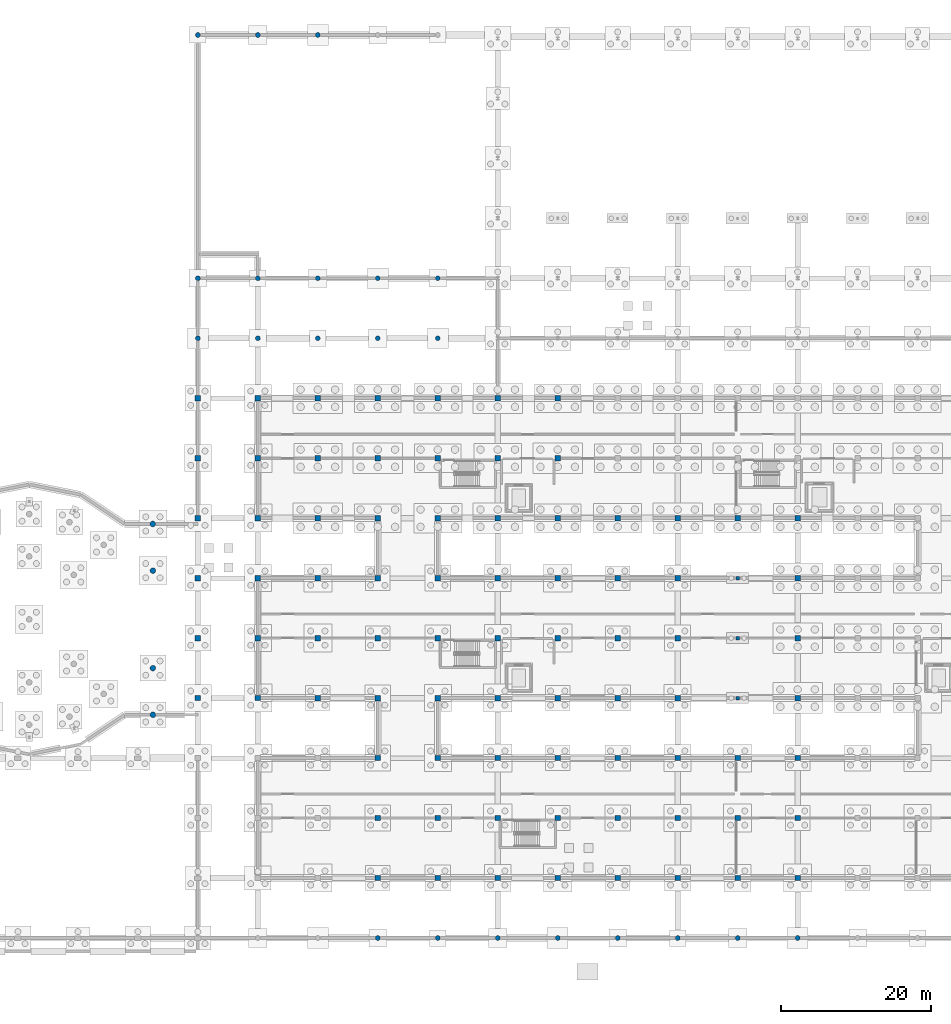
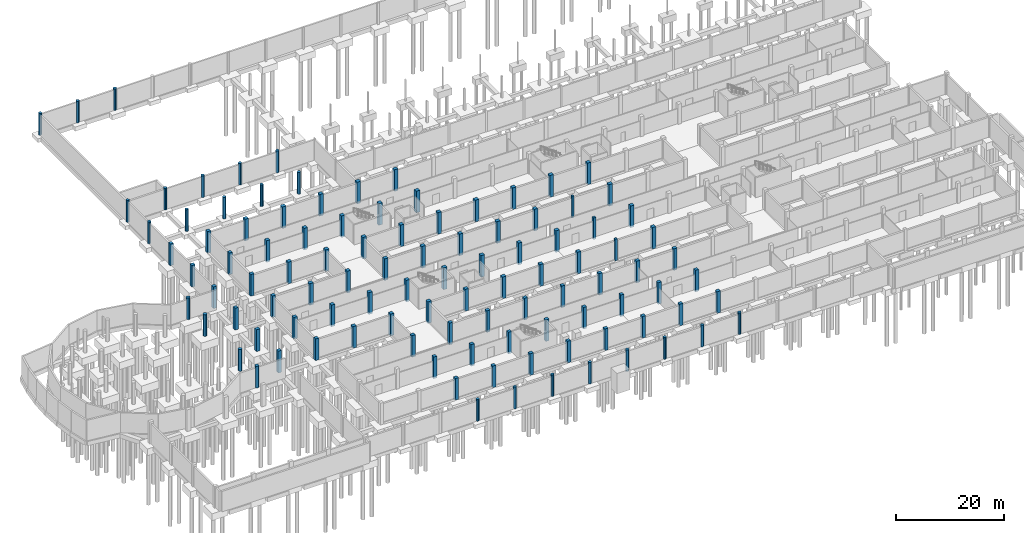
# One storey, part 22 of 51: 107 columns.
"""IFC4 building model written with IfcOpenShell, lengths in metres."""

from ifc_helpers import new_model, si_unit, direction, frame, origin, origin_2d, place, context, subcontext, project, spatial, rectangle, circle, extrude, material, material_profile, profile_set, type_object, element, save


model = new_model("IFC4")

# Units and contexts
model_context = context("Model", 3, precision=1e-05, world=origin(), true_north=direction((0.0, 1.0)))
body_context = subcontext(model_context, "Body", "Model", "MODEL_VIEW")
ifc_project = project(units=[si_unit("LENGTHUNIT", "METRE"), si_unit("AREAUNIT", "SQUARE_METRE"), si_unit("VOLUMEUNIT", "CUBIC_METRE"), si_unit("PLANEANGLEUNIT", "RADIAN"), si_unit("MASSUNIT", "GRAM", prefix="KILO")], contexts=[model_context])

# Site, building, storey
site_placement = place(None, origin())
site = spatial("IfcSite", under=ifc_project, at=site_placement, CompositionType="ELEMENT")
building_placement = place(site_placement, origin())
building = spatial("IfcBuilding", under=site, at=building_placement, Name="Jelvoka-Kovrelna Polytechnic", CompositionType="ELEMENT")
storey_placement = place(building_placement, frame((0.0, 0.0, -4.5)))
storey = spatial("IfcBuildingStorey", under=building, at=storey_placement, Name="B01", CompositionType="ELEMENT", Elevation=-4.5)

# Columns
ifc_material_1 = material(Name="Concrete C40/50", Category="concrete")
ifc_material_profile_1 = material_profile(ifc_material_1, circle(Radius=0.324951171875, at=origin_2d()), Name="RC D650")
ifc_profile_set_1 = profile_set([ifc_material_profile_1], Name="Concrete C40/50")
column_type_1 = type_object("IfcColumnType", Name="Col_Pilotis_D650", PredefinedType="PILASTER", material=ifc_profile_set_1)
for number, where, z_axis, x_axis, name in (
    (1, (72.0, 0.0, -0.405029296875), (0.0, 0.0, 1.0), (1.0, 0.0, 0.0), "B01 column 0027"),
    (2, (80.0, 0.0, -0.405029296875), (0.0, 0.0, 1.0), (1.0, 0.0, 0.0), "B01 column 0030"),
    (3, (88.0, 0.0, -0.405029296875), (0.0, 0.0, 1.0), (1.0, 0.0, 0.0), "B01 column 0033"),
    (4, (96.0, 0.0, -0.405029296875), (0.0, 0.0, 1.0), (1.0, 0.0, 0.0), "B01 column 0036"),
    (5, (104.0, 0.0, -0.405029296875), (0.0, 0.0, 1.0), (1.0, 0.0, 0.0), "B01 column 0039"),
    (6, (112.0, 0.0, -0.405029296875), (0.0, 0.0, 1.0), (1.0, 0.0, 0.0), "B01 column 0042"),
    (7, (120.0, 0.0, -0.405029296875), (0.0, 0.0, 1.0), (1.0, 0.0, 0.0), "B01 column 0045"),
    (8, (128.0, 0.0, -0.405029296875), (0.0, 0.0, 1.0), (1.0, 0.0, 0.0), "B01 column 0048"),
    (9, (48.0, 80.0, -0.405029296875), (0.0, 0.0, 1.0), (1.0, 0.0, 0.0), "B01 column 1461"),
    (10, (56.0, 80.0, -0.405029296875), (0.0, 0.0, 1.0), (1.0, 0.0, 0.0), "B01 column 1464"),
    (11, (64.0, 80.0, -0.405029296875), (0.0, 0.0, 1.0), (1.0, 0.0, 0.0), "B01 column 1467"),
    (12, (72.0, 80.0, -0.405029296875), (0.0, 0.0, 1.0), (1.0, 0.0, 0.0), "B01 column 1470"),
    (13, (80.0, 80.0, -0.405029296875), (0.0, 0.0, 1.0), (1.0, 0.0, 0.0), "B01 column 1473"),
    (14, (48.0, 88.0, -0.405029296875), (0.0, 0.0, 1.0), (1.0, 0.0, 0.0), "B01 column 1521"),
    (15, (56.0, 88.0, -0.405029296875), (0.0, 0.0, 1.0), (1.0, 0.0, 0.0), "B01 column 1523"),
    (16, (64.0, 88.0, -0.405029296875), (0.0, 0.0, 1.0), (1.0, 0.0, 0.0), "B01 column 1525"),
    (17, (72.0, 88.0, -0.405029296875), (0.0, 0.0, 1.0), (1.0, 0.0, 0.0), "B01 column 1527"),
    (18, (80.0, 88.0, -0.405029296875), (0.0, 0.0, 1.0), (1.0, 0.0, 0.0), "B01 column 1529"),
    (19, (48.0, 120.449951171875, -0.405029296875), (0.0, 0.0, 1.0), (1.0, 0.0, 0.0), "B01 column 1665"),
    (20, (56.0, 120.449951171875, -0.405029296875), (0.0, 0.0, 1.0), (1.0, 0.0, 0.0), "B01 column 1666"),
    (21, (64.0, 120.449951171875, -0.405029296875), (0.0, 0.0, 1.0), (1.0, 0.0, 0.0), "B01 column 1667"),
):
    element("IfcColumn", number, at=place(storey_placement, frame(where, z_axis=z_axis, x_axis=x_axis)), inside=storey, type_object=column_type_1, Name=name, PredefinedType="PILASTER", context=body_context, shape_type="SweptSolid", body=[
        extrude(circle(Radius=0.324951171875, at=origin_2d()), origin(), (0.0, 0.0, 1.0), 4.905029296875),
    ])
ifc_material_2 = material(Name="Concrete C40/50", Category="concrete")
ifc_material_profile_2 = material_profile(ifc_material_2, rectangle(XDim=0.449951171875, YDim=0.449951171875, at=origin_2d()), Name="RC 450x450")
ifc_profile_set_2 = profile_set([ifc_material_profile_2], Name="Concrete C40/50")
column_type_2 = type_object("IfcColumnType", Name="Col_RC_450", PredefinedType="COLUMN", material=ifc_profile_set_2)
for number, where, z_axis, x_axis, name in (
    (22, (120.0, 32.0, -0.405029296875), (0.0, 0.0, 1.0), (1.0, 0.0, 0.0), "B01 column 0493"),
    (23, (120.0, 48.0, -0.405029296875), (0.0, 0.0, 1.0), (1.0, 0.0, 0.0), "B01 column 0839"),
):
    element("IfcColumn", number, at=place(storey_placement, frame(where, z_axis=z_axis, x_axis=x_axis)), inside=storey, type_object=column_type_2, Name=name, PredefinedType="COLUMN", context=body_context, shape_type="SweptSolid", body=[
        extrude(rectangle(XDim=0.449951171875, YDim=0.449951171875, at=origin_2d()), origin(), (0.0, 0.0, 1.0), 4.905029296875),
    ])
ifc_material_3 = material(Name="Concrete C40/50", Category="concrete")
ifc_material_profile_3 = material_profile(ifc_material_3, rectangle(XDim=0.5, YDim=0.5, at=origin_2d()), Name="RC 500x500")
ifc_profile_set_3 = profile_set([ifc_material_profile_3], Name="Concrete C40/50")
column_type_3 = type_object("IfcColumnType", Name="Col_RC_500", PredefinedType="COLUMN", material=ifc_profile_set_3)
column_placement = place(storey_placement, frame((120.0, 40.0, -0.405029296875), z_axis=(0.0, 0.0, 1.0), x_axis=(1.0, 0.0, 0.0)))
element("IfcColumn", 24, at=column_placement, inside=storey, type_object=column_type_3, Name="B01 column 0675", PredefinedType="COLUMN", context=body_context, shape_type="SweptSolid", body=[
    extrude(rectangle(XDim=0.5, YDim=0.5, at=origin_2d()), origin(), (0.0, 0.0, 1.0), 4.905029296875),
])
ifc_material_4 = material(Name="Concrete C40/50", Category="concrete")
ifc_material_profile_4 = material_profile(ifc_material_4, rectangle(XDim=0.699951171875, YDim=0.699951171875, at=origin_2d()), Name="RC 700x700")
ifc_profile_set_4 = profile_set([ifc_material_profile_4], Name="Concrete C40/50")
column_type_4 = type_object("IfcColumnType", Name="Col_RC_700", PredefinedType="COLUMN", material=ifc_profile_set_4)
for number, where, z_axis, x_axis, name in (
    (25, (72.0, 8.0, -0.405029296875), (0.0, 0.0, 1.0), (1.0, 0.0, 0.0), "B01 column 0103"),
    (26, (80.0, 8.0, -0.405029296875), (0.0, 0.0, 1.0), (1.0, 0.0, 0.0), "B01 column 0109"),
    (27, (88.0, 8.0, -0.405029296875), (0.0, 0.0, 1.0), (1.0, 0.0, 0.0), "B01 column 0115"),
    (28, (96.0, 8.0, -0.405029296875), (0.0, 0.0, 1.0), (1.0, 0.0, 0.0), "B01 column 0121"),
    (29, (104.0, 8.0, -0.405029296875), (0.0, 0.0, 1.0), (1.0, 0.0, 0.0), "B01 column 0127"),
    (30, (112.0, 8.0, -0.405029296875), (0.0, 0.0, 1.0), (1.0, 0.0, 0.0), "B01 column 0133"),
    (31, (120.0, 8.0, -0.405029296875), (0.0, 0.0, 1.0), (1.0, 0.0, 0.0), "B01 column 0139"),
    (32, (128.0, 8.0, -0.405029296875), (0.0, 0.0, 1.0), (1.0, 0.0, 0.0), "B01 column 0145"),
    (33, (72.0, 16.0, -0.405029296875), (0.0, 0.0, 1.0), (1.0, 0.0, 0.0), "B01 column 0204"),
    (34, (80.0, 16.0, -0.405029296875), (0.0, 0.0, 1.0), (1.0, 0.0, 0.0), "B01 column 0210"),
    (35, (88.0, 16.0, -0.405029296875), (0.0, 0.0, 1.0), (1.0, 0.0, 0.0), "B01 column 0216"),
    (36, (96.0, 16.0, -0.405029296875), (0.0, 0.0, 1.0), (1.0, 0.0, 0.0), "B01 column 0222"),
    (37, (104.0, 16.0, -0.405029296875), (0.0, 0.0, 1.0), (1.0, 0.0, 0.0), "B01 column 0228"),
    (38, (112.0, 16.0, -0.405029296875), (0.0, 0.0, 1.0), (1.0, 0.0, 0.0), "B01 column 0234"),
    (39, (120.0, 16.0, -0.405029296875), (0.0, 0.0, 1.0), (1.0, 0.0, 0.0), "B01 column 0240"),
    (40, (128.0, 16.0, -0.405029296875), (0.0, 0.0, 1.0), (1.0, 0.0, 0.0), "B01 column 0246"),
    (41, (72.0, 24.0, -0.405029296875), (0.0, 0.0, 1.0), (1.0, 0.0, 0.0), "B01 column 0329"),
    (42, (80.0, 24.0, -0.405029296875), (0.0, 0.0, 1.0), (1.0, 0.0, 0.0), "B01 column 0335"),
    (43, (88.0, 24.0, -0.405029296875), (0.0, 0.0, 1.0), (1.0, 0.0, 0.0), "B01 column 0341"),
    (44, (96.0, 24.0, -0.405029296875), (0.0, 0.0, 1.0), (1.0, 0.0, 0.0), "B01 column 0347"),
    (45, (104.0, 24.0, -0.405029296875), (0.0, 0.0, 1.0), (1.0, 0.0, 0.0), "B01 column 0353"),
    (46, (112.0, 24.0, -0.405029296875), (0.0, 0.0, 1.0), (1.0, 0.0, 0.0), "B01 column 0359"),
    (47, (120.0, 24.0, -0.405029296875), (0.0, 0.0, 1.0), (1.0, 0.0, 0.0), "B01 column 0365"),
    (48, (128.0, 24.0, -0.405029296875), (0.0, 0.0, 1.0), (1.0, 0.0, 0.0), "B01 column 0371"),
    (49, (48.0, 32.0, -0.405029296875), (0.0, 0.0, 1.0), (1.0, 0.0, 0.0), "B01 column 0432"),
    (50, (56.0, 32.0, -0.405029296875), (0.0, 0.0, 1.0), (1.0, 0.0, 0.0), "B01 column 0438"),
    (51, (48.0, 40.0, -0.405029296875), (0.0, 0.0, 1.0), (1.0, 0.0, 0.0), "B01 column 0614"),
    (52, (56.0, 40.0, -0.405029296875), (0.0, 0.0, 1.0), (1.0, 0.0, 0.0), "B01 column 0620"),
    (53, (48.0, 48.0, -0.405029296875), (0.0, 0.0, 1.0), (1.0, 0.0, 0.0), "B01 column 0778"),
    (54, (56.0, 48.0, -0.405029296875), (0.0, 0.0, 1.0), (1.0, 0.0, 0.0), "B01 column 0784"),
    (55, (48.0, 56.0, -0.405029296875), (0.0, 0.0, 1.0), (1.0, 0.0, 0.0), "B01 column 0972"),
    (56, (56.0, 56.0, -0.405029296875), (0.0, 0.0, 1.0), (1.0, 0.0, 0.0), "B01 column 0978"),
    (57, (48.0, 64.0, -0.405029296875), (0.0, 0.0, 1.0), (1.0, 0.0, 0.0), "B01 column 1139"),
    (58, (56.0, 64.0, -0.405029296875), (0.0, 0.0, 1.0), (1.0, 0.0, 0.0), "B01 column 1145"),
    (59, (48.0, 72.0, -0.405029296875), (0.0, 0.0, 1.0), (1.0, 0.0, 0.0), "B01 column 1300"),
    (60, (56.0, 72.0, -0.405029296875), (0.0, 0.0, 1.0), (1.0, 0.0, 0.0), "B01 column 1306"),
):
    element("IfcColumn", number, at=place(storey_placement, frame(where, z_axis=z_axis, x_axis=x_axis)), inside=storey, type_object=column_type_4, Name=name, PredefinedType="COLUMN", context=body_context, shape_type="SweptSolid", body=[
        extrude(rectangle(XDim=0.699951171875, YDim=0.699951171875, at=origin_2d()), origin(), (0.0, 0.0, 1.0), 4.905029296875),
    ])
ifc_material_5 = material(Name="Concrete C40/50", Category="concrete")
ifc_material_profile_5 = material_profile(ifc_material_5, rectangle(XDim=0.75, YDim=0.75, at=origin_2d()), Name="RC 750x750")
ifc_profile_set_5 = profile_set([ifc_material_profile_5], Name="Concrete C40/50")
column_type_5 = type_object("IfcColumnType", Name="Col_RC_750", PredefinedType="COLUMN", material=ifc_profile_set_5)
for number, where, z_axis, x_axis, name in (
    (61, (64.0, 32.0, -0.405029296875), (0.0, 0.0, 1.0), (1.0, 0.0, 0.0), "B01 column 0444"),
    (62, (72.0, 32.0, -0.405029296875), (0.0, 0.0, 1.0), (1.0, 0.0, 0.0), "B01 column 0451"),
    (63, (80.0, 32.0, -0.405029296875), (0.0, 0.0, 1.0), (1.0, 0.0, 0.0), "B01 column 0458"),
    (64, (88.0, 32.0, -0.405029296875), (0.0, 0.0, 1.0), (1.0, 0.0, 0.0), "B01 column 0465"),
    (65, (96.0, 32.0, -0.405029296875), (0.0, 0.0, 1.0), (1.0, 0.0, 0.0), "B01 column 0472"),
    (66, (104.0, 32.0, -0.405029296875), (0.0, 0.0, 1.0), (1.0, 0.0, 0.0), "B01 column 0479"),
    (67, (112.0, 32.0, -0.405029296875), (0.0, 0.0, 1.0), (1.0, 0.0, 0.0), "B01 column 0486"),
    (68, (128.0, 32.0, -0.405029296875), (0.0, 0.0, 1.0), (1.0, 0.0, 0.0), "B01 column 0494"),
    (69, (64.0, 40.0, -0.405029296875), (0.0, 0.0, 1.0), (1.0, 0.0, 0.0), "B01 column 0626"),
    (70, (72.0, 40.0, -0.405029296875), (0.0, 0.0, 1.0), (1.0, 0.0, 0.0), "B01 column 0633"),
    (71, (80.0, 40.0, -0.405029296875), (0.0, 0.0, 1.0), (1.0, 0.0, 0.0), "B01 column 0640"),
    (72, (88.0, 40.0, -0.405029296875), (0.0, 0.0, 1.0), (1.0, 0.0, 0.0), "B01 column 0647"),
    (73, (96.0, 40.0, -0.405029296875), (0.0, 0.0, 1.0), (1.0, 0.0, 0.0), "B01 column 0654"),
    (74, (104.0, 40.0, -0.405029296875), (0.0, 0.0, 1.0), (1.0, 0.0, 0.0), "B01 column 0661"),
    (75, (112.0, 40.0, -0.405029296875), (0.0, 0.0, 1.0), (1.0, 0.0, 0.0), "B01 column 0668"),
    (76, (128.0, 40.0, -0.405029296875), (0.0, 0.0, 1.0), (1.0, 0.0, 0.0), "B01 column 0676"),
    (77, (64.0, 48.0, -0.405029296875), (0.0, 0.0, 1.0), (1.0, 0.0, 0.0), "B01 column 0790"),
    (78, (72.0, 48.0, -0.405029296875), (0.0, 0.0, 1.0), (1.0, 0.0, 0.0), "B01 column 0797"),
    (79, (80.0, 48.0, -0.405029296875), (0.0, 0.0, 1.0), (1.0, 0.0, 0.0), "B01 column 0804"),
    (80, (88.0, 48.0, -0.405029296875), (0.0, 0.0, 1.0), (1.0, 0.0, 0.0), "B01 column 0811"),
    (81, (96.0, 48.0, -0.405029296875), (0.0, 0.0, 1.0), (1.0, 0.0, 0.0), "B01 column 0818"),
    (82, (104.0, 48.0, -0.405029296875), (0.0, 0.0, 1.0), (1.0, 0.0, 0.0), "B01 column 0825"),
    (83, (112.0, 48.0, -0.405029296875), (0.0, 0.0, 1.0), (1.0, 0.0, 0.0), "B01 column 0832"),
    (84, (128.0, 48.0, -0.405029296875), (0.0, 0.0, 1.0), (1.0, 0.0, 0.0), "B01 column 0840"),
    (85, (64.0, 56.0, -0.405029296875), (0.0, 0.0, 1.0), (1.0, 0.0, 0.0), "B01 column 0984"),
    (86, (72.0, 56.0, -0.405029296875), (0.0, 0.0, 1.0), (1.0, 0.0, 0.0), "B01 column 0992"),
    (87, (80.0, 56.0, -0.405029296875), (0.0, 0.0, 1.0), (1.0, 0.0, 0.0), "B01 column 1001"),
    (88, (88.0, 56.0, -0.405029296875), (0.0, 0.0, 1.0), (1.0, 0.0, 0.0), "B01 column 1010"),
    (89, (96.0, 56.0, -0.405029296875), (0.0, 0.0, 1.0), (1.0, 0.0, 0.0), "B01 column 1019"),
    (90, (104.0, 56.0, -0.405029296875), (0.0, 0.0, 1.0), (1.0, 0.0, 0.0), "B01 column 1028"),
    (91, (112.0, 56.0, -0.405029296875), (0.0, 0.0, 1.0), (1.0, 0.0, 0.0), "B01 column 1037"),
    (92, (120.0, 56.0, -0.405029296875), (0.0, 0.0, 1.0), (1.0, 0.0, 0.0), "B01 column 1046"),
    (93, (128.0, 56.0, -0.405029296875), (0.0, 0.0, 1.0), (1.0, 0.0, 0.0), "B01 column 1055"),
    (94, (64.0, 64.0, -0.405029296875), (0.0, 0.0, 1.0), (1.0, 0.0, 0.0), "B01 column 1151"),
    (95, (72.0, 64.0, -0.405029296875), (0.0, 0.0, 1.0), (1.0, 0.0, 0.0), "B01 column 1159"),
    (96, (80.0, 64.0, -0.405029296875), (0.0, 0.0, 1.0), (1.0, 0.0, 0.0), "B01 column 1168"),
    (97, (88.0, 64.0, -0.405029296875), (0.0, 0.0, 1.0), (1.0, 0.0, 0.0), "B01 column 1177"),
    (98, (96.0, 64.0, -0.405029296875), (0.0, 0.0, 1.0), (1.0, 0.0, 0.0), "B01 column 1186"),
    (99, (64.0, 72.0, -0.405029296875), (0.0, 0.0, 1.0), (1.0, 0.0, 0.0), "B01 column 1312"),
    (100, (72.0, 72.0, -0.405029296875), (0.0, 0.0, 1.0), (1.0, 0.0, 0.0), "B01 column 1320"),
    (101, (80.0, 72.0, -0.405029296875), (0.0, 0.0, 1.0), (1.0, 0.0, 0.0), "B01 column 1329"),
    (102, (88.0, 72.0, -0.405029296875), (0.0, 0.0, 1.0), (1.0, 0.0, 0.0), "B01 column 1338"),
    (103, (96.0, 72.0, -0.405029296875), (0.0, 0.0, 1.0), (1.0, 0.0, 0.0), "B01 column 1347"),
):
    element("IfcColumn", number, at=place(storey_placement, frame(where, z_axis=z_axis, x_axis=x_axis)), inside=storey, type_object=column_type_5, Name=name, PredefinedType="COLUMN", context=body_context, shape_type="SweptSolid", body=[
        extrude(rectangle(XDim=0.75, YDim=0.75, at=origin_2d()), origin(), (0.0, 0.0, 1.0), 4.905029296875),
    ])
ifc_material_6 = material(Name="Concrete C40/50", Category="concrete")
ifc_material_profile_6 = material_profile(ifc_material_6, circle(Radius=0.375, at=origin_2d()), Name="RC D750")
ifc_profile_set_6 = profile_set([ifc_material_profile_6], Name="Concrete C40/50")
column_type_6 = type_object("IfcColumnType", Name="Col_RC_D750", PredefinedType="COLUMN", material=ifc_profile_set_6)
for number, where, z_axis, x_axis, name in (
    (104, (42.0, 29.772216796875, -0.405029296875), (0.0, 0.0, 1.0), (1.0, 0.0, 0.0), "B01 column 0426"),
    (105, (42.0, 36.0, -0.405029296875), (0.0, 0.0, 1.0), (1.0, 0.0, 0.0), "B01 column 0590"),
    (106, (42.0, 49.0, -0.405029296875), (0.0, 0.0, 1.0), (1.0, 0.0, 0.0), "B01 column 0930"),
    (107, (42.0, 55.227783203125, -0.405029296875), (0.0, 0.0, 1.0), (1.0, 0.0, 0.0), "B01 column 0954"),
):
    element("IfcColumn", number, at=place(storey_placement, frame(where, z_axis=z_axis, x_axis=x_axis)), inside=storey, type_object=column_type_6, Name=name, PredefinedType="COLUMN", context=body_context, shape_type="SweptSolid", body=[
        extrude(circle(Radius=0.375, at=origin_2d()), origin(), (0.0, 0.0, 1.0), 4.905029296875),
    ])

save(model, "model.ifc")
